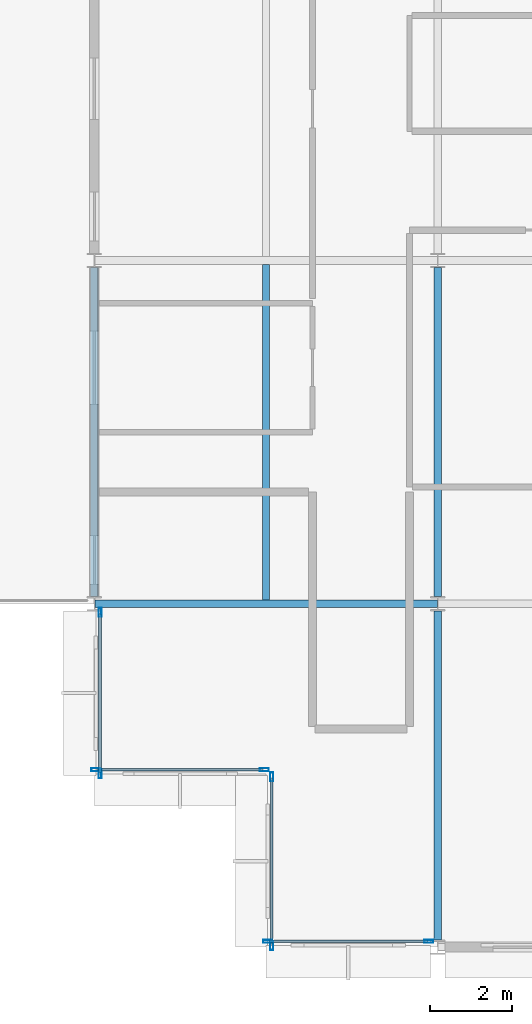
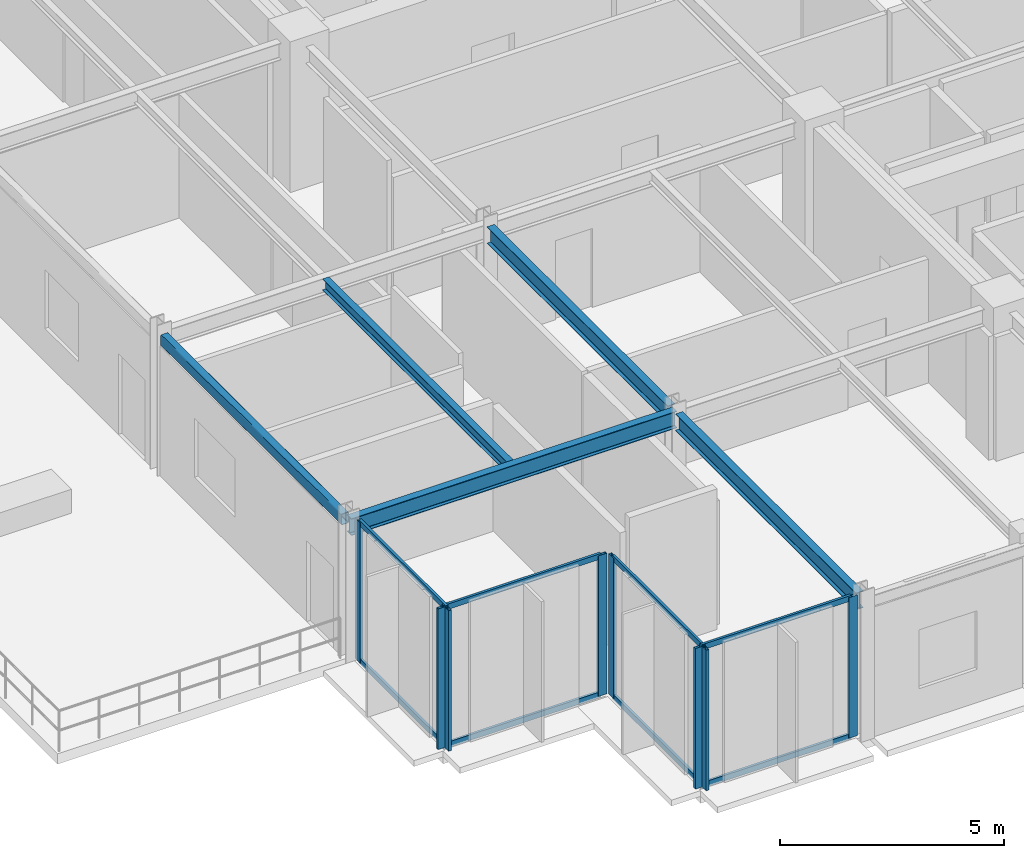
# One storey, part 2 of 21: 16 members, 5 beams, 4 elements without a shape of their own.
"""IFC4 building model written with IfcOpenShell, lengths in metres."""

from ifc_helpers import new_model, si_unit, direction, frame, origin, origin_2d, place, context, subcontext, project, spatial, hollow_rectangle, i_section, extrude, material, layer, layer_set, material_profile, profile_set, type_object, element, aggregate, save


model = new_model("IFC4")

# Units and contexts
model_context = context("Model", 3, precision=1e-05, world=origin(), true_north=direction((0.0, 1.0)))
body_context = subcontext(model_context, "Body", "Model", "MODEL_VIEW")
ifc_project = project(units=[si_unit("LENGTHUNIT", "METRE"), si_unit("AREAUNIT", "SQUARE_METRE"), si_unit("VOLUMEUNIT", "CUBIC_METRE"), si_unit("PLANEANGLEUNIT", "RADIAN"), si_unit("MASSUNIT", "GRAM", prefix="KILO")], contexts=[model_context])

# Site, building, storey
site_placement = place(None, origin())
site = spatial("IfcSite", under=ifc_project, at=site_placement, CompositionType="ELEMENT")
building_placement = place(site_placement, origin())
building = spatial("IfcBuilding", under=site, at=building_placement, Name="Nerrivon Quay Data Exchange", CompositionType="ELEMENT")
storey_placement = place(building_placement, frame((0.0, 0.0, 220.60009765625)))
storey = spatial("IfcBuildingStorey", under=building, at=storey_placement, Name="L52", CompositionType="ELEMENT", Elevation=220.60009765625)

# Beams
ifc_material_1 = material(Name="Steel Grade 350", Category="steel")
ifc_material_profile_1 = material_profile(ifc_material_1, i_section(OverallWidth=0.19091796875, OverallDepth=0.4599609375, WebThickness=0.010009765625, FlangeThickness=0.01611328125, FilletRadius=0.011474609375, at=origin_2d()), Name="460UB82.1")
ifc_profile_set_1 = profile_set([ifc_material_profile_1], Name="Steel Grade 350")
beam_type_1 = type_object("IfcBeamType", Name="BM-G5-460UB82", PredefinedType="BEAM", material=ifc_profile_set_1)
beam_1_placement = place(storey_placement, frame((0.010009765625, 8.39990234375, 3.594970703125), z_axis=(1.0, 0.0, 0.0), x_axis=(0.0, 1.0, 0.0)))
element("IfcBeam", 1, at=beam_1_placement, inside=storey, type_object=beam_type_1, Name="L52 EW Girder Y=8.4 (0.0..8.4)", PredefinedType="BEAM", context=body_context, shape_type="SweptSolid", body=[
    extrude(i_section(OverallWidth=0.19091796875, OverallDepth=0.4599609375, WebThickness=0.010009765625, FlangeThickness=0.01611328125, FilletRadius=0.011474609375, at=origin_2d()), origin(), (0.0, 0.0, 1.0), 8.3798828125),
])
ifc_material_profile_2 = material_profile(ifc_material_1, i_section(OverallWidth=0.18994140625, OverallDepth=0.4541015625, WebThickness=0.008544921875, FlangeThickness=0.0126953125, FilletRadius=0.011474609375, at=origin_2d()), Name="460UB67.1")
ifc_profile_set_2 = profile_set([ifc_material_profile_2], Name="Steel Grade 350")
beam_type_2 = type_object("IfcBeamType", Name="BM-G6-460UB67", PredefinedType="BEAM", material=ifc_profile_set_2)
for number, where, z_axis, x_axis, name in (
    (2, (8.39990234375, 0.175048828125, 3.597900390625), (0.0, 1.0, 0.0), (-1.0, 0.0, 0.0), "L52 NS Girder X=8.4 (0.0..8.4)"),
    (3, (8.39990234375, 8.574951171875, 3.597900390625), (0.0, 1.0, 0.0), (-1.0, 0.0, 0.0), "L52 NS Girder X=8.4 (8.4..16.8)"),
):
    element("IfcBeam", number, at=place(storey_placement, frame(where, z_axis=z_axis, x_axis=x_axis)), inside=storey, type_object=beam_type_2, Name=name, PredefinedType="BEAM", context=body_context, shape_type="SweptSolid", body=[
        extrude(i_section(OverallWidth=0.18994140625, OverallDepth=0.4541015625, WebThickness=0.008544921875, FlangeThickness=0.0126953125, FilletRadius=0.011474609375, at=origin_2d()), origin(), (0.0, 0.0, 1.0), 8.050048828125),
    ])
ifc_material_profile_3 = material_profile(ifc_material_1, i_section(OverallWidth=0.166015625, OverallDepth=0.306884765625, WebThickness=0.006591796875, FlangeThickness=0.01171875, FilletRadius=0.011474609375, at=origin_2d()), Name="310UB46.2")
ifc_profile_set_3 = profile_set([ifc_material_profile_3], Name="Steel Grade 350")
beam_type_3 = type_object("IfcBeamType", Name="BM-J5-310UB46", PredefinedType="JOIST", material=ifc_profile_set_3)
beam_2_placement = place(storey_placement, frame((4.199951171875, 8.49560546875, 3.67138671875), z_axis=(0.0, 1.0, 0.0), x_axis=(-1.0, 0.0, 0.0)))
element("IfcBeam", 4, at=beam_2_placement, inside=storey, type_object=beam_type_3, Name="L52 Secondary Joist X=4.2 (8.4..16.8)", PredefinedType="JOIST", context=body_context, shape_type="SweptSolid", body=[
    extrude(i_section(OverallWidth=0.166015625, OverallDepth=0.306884765625, WebThickness=0.006591796875, FlangeThickness=0.01171875, FilletRadius=0.011474609375, at=origin_2d()), origin(), (0.0, 0.0, 1.0), 8.208984375),
])
ifc_material_2 = material(Name="Steel Grade C350L0 (350 MPa)", Category="steel")
ifc_material_profile_4 = material_profile(ifc_material_2, hollow_rectangle(XDim=0.199951171875, YDim=0.300048828125, WallThickness=0.012451171875, InnerFilletRadius=0.018798828125, OuterFilletRadius=0.03125, at=origin_2d()), Name="300x200x12.5RHS")
ifc_profile_set_4 = profile_set([ifc_material_profile_4], Name="Steel Grade C350L0 (350 MPa)")
beam_type_4 = type_object("IfcBeamType", Name="BM-SP3-300x200RHS", PredefinedType="SPANDREL", material=ifc_profile_set_4)
beam_3_placement = place(storey_placement, frame((0.0, 8.574951171875, 3.6748046875), z_axis=(0.0, 1.0, 0.0), x_axis=(-1.0, 0.0, 0.0)))
element("IfcBeam", 5, at=beam_3_placement, inside=storey, type_object=beam_type_4, Name="L52 NS Girder X=0.0 (8.4..16.8)", PredefinedType="SPANDREL", context=body_context, shape_type="SweptSolid", body=[
    extrude(hollow_rectangle(XDim=0.199951171875, YDim=0.300048828125, WallThickness=0.012451171875, InnerFilletRadius=0.018798828125, OuterFilletRadius=0.03125, at=origin_2d()), origin(), (0.0, 0.0, 1.0), 8.050048828125),
])

# Curtain wall, members
ifc_material_3 = material(Name="Anodised aluminium 6063-T6", Category="aluminium")
ifc_layer = layer(ifc_material_3, 0.22998046875)
ifc_layer_set = layer_set([ifc_layer], Name="Anodised aluminium 6063-T6")
curtain_wall_type = type_object("IfcCurtainWallType", Name="CW-SYS-05", PredefinedType="NOTDEFINED", material=ifc_layer_set)
curtain_wall_1_placement = place(storey_placement, origin())
curtain_wall_1 = element("IfcCurtainWall", 6, at=curtain_wall_1_placement, inside=storey, type_object=curtain_wall_type, Name="L52 Unitised Curtain Wall 8", PredefinedType="NOTDEFINED")
ifc_material_profile_5 = material_profile(ifc_material_3, hollow_rectangle(XDim=0.074951171875, YDim=0.219970703125, WallThickness=0.00390625, at=origin_2d()), Name="ALU-MULL-220x75")
ifc_profile_set_5 = profile_set([ifc_material_profile_5], Name="Anodised aluminium 6063-T6")
member_type_1 = type_object("IfcMemberType", Name="CWM-220x75", PredefinedType="MULLION", material=ifc_profile_set_5)
member_1_placement = place(storey_placement, frame((8.1875, 0.139892578125, 0.0), z_axis=(0.0, 0.0, 1.0), x_axis=(0.0, -1.0, 0.0)))
member_1 = element("IfcMember", 7, at=member_1_placement, type_object=member_type_1, Name="CW05 mullion 1", PredefinedType="MULLION", context=body_context, shape_type="SweptSolid", body=[
    extrude(hollow_rectangle(XDim=0.074951171875, YDim=0.219970703125, WallThickness=0.00390625, at=origin_2d()), origin(), (0.0, 0.0, 1.0), 3.824951171875),
])
member_2_placement = place(storey_placement, frame((4.237548828125, 0.139892578125, 0.0), z_axis=(0.0, 0.0, 1.0), x_axis=(0.0, -1.0, 0.0)))
member_2 = element("IfcMember", 8, at=member_2_placement, type_object=member_type_1, Name="CW05 mullion 2", PredefinedType="MULLION", context=body_context, shape_type="SweptSolid", body=[
    extrude(hollow_rectangle(XDim=0.074951171875, YDim=0.219970703125, WallThickness=0.00390625, at=origin_2d()), origin(), (0.0, 0.0, 1.0), 3.824951171875),
])

curtain_wall_2_placement = place(storey_placement, origin())
curtain_wall_2 = element("IfcCurtainWall", 9, at=curtain_wall_2_placement, inside=storey, type_object=curtain_wall_type, Name="L52 Unitised Curtain Wall 9", PredefinedType="NOTDEFINED")
member_3_placement = place(storey_placement, frame((4.340087890625, 0.03759765625, 0.0), z_axis=(0.0, 0.0, 1.0), x_axis=(-1.0, 0.0, 0.0)))
member_3 = element("IfcMember", 10, at=member_3_placement, type_object=member_type_1, Name="CW05 mullion 1", PredefinedType="MULLION", context=body_context, shape_type="SweptSolid", body=[
    extrude(hollow_rectangle(XDim=0.074951171875, YDim=0.219970703125, WallThickness=0.00390625, at=origin_2d()), origin(), (0.0, 0.0, 1.0), 3.824951171875),
])
member_4_placement = place(storey_placement, frame((4.340087890625, 4.16259765625, 0.0), z_axis=(0.0, 0.0, 1.0), x_axis=(-1.0, 0.0, 0.0)))
member_4 = element("IfcMember", 11, at=member_4_placement, type_object=member_type_1, Name="CW05 mullion 2", PredefinedType="MULLION", context=body_context, shape_type="SweptSolid", body=[
    extrude(hollow_rectangle(XDim=0.074951171875, YDim=0.219970703125, WallThickness=0.00390625, at=origin_2d()), origin(), (0.0, 0.0, 1.0), 3.824951171875),
])

curtain_wall_3_placement = place(storey_placement, origin())
curtain_wall_3 = element("IfcCurtainWall", 12, at=curtain_wall_3_placement, inside=storey, type_object=curtain_wall_type, Name="L52 Unitised Curtain Wall 10", PredefinedType="NOTDEFINED")
member_5_placement = place(storey_placement, frame((4.16259765625, 4.340087890625, 0.0), z_axis=(0.0, 0.0, 1.0), x_axis=(0.0, -1.0, 0.0)))
member_5 = element("IfcMember", 13, at=member_5_placement, type_object=member_type_1, Name="CW05 mullion 1", PredefinedType="MULLION", context=body_context, shape_type="SweptSolid", body=[
    extrude(hollow_rectangle(XDim=0.074951171875, YDim=0.219970703125, WallThickness=0.00390625, at=origin_2d()), origin(), (0.0, 0.0, 1.0), 3.824951171875),
])
member_6_placement = place(storey_placement, frame((0.03759765625, 4.340087890625, 0.0), z_axis=(0.0, 0.0, 1.0), x_axis=(0.0, -1.0, 0.0)))
member_6 = element("IfcMember", 14, at=member_6_placement, type_object=member_type_1, Name="CW05 mullion 2", PredefinedType="MULLION", context=body_context, shape_type="SweptSolid", body=[
    extrude(hollow_rectangle(XDim=0.074951171875, YDim=0.219970703125, WallThickness=0.00390625, at=origin_2d()), origin(), (0.0, 0.0, 1.0), 3.824951171875),
])

curtain_wall_4_placement = place(storey_placement, origin())
curtain_wall_4 = element("IfcCurtainWall", 15, at=curtain_wall_4_placement, inside=storey, type_object=curtain_wall_type, Name="L52 Unitised Curtain Wall 11", PredefinedType="NOTDEFINED")
member_7_placement = place(storey_placement, frame((0.139892578125, 4.237548828125, 0.0), z_axis=(0.0, 0.0, 1.0), x_axis=(-1.0, 0.0, 0.0)))
member_7 = element("IfcMember", 16, at=member_7_placement, type_object=member_type_1, Name="CW05 mullion 1", PredefinedType="MULLION", context=body_context, shape_type="SweptSolid", body=[
    extrude(hollow_rectangle(XDim=0.074951171875, YDim=0.219970703125, WallThickness=0.00390625, at=origin_2d()), origin(), (0.0, 0.0, 1.0), 3.824951171875),
])
member_8_placement = place(storey_placement, frame((0.139892578125, 8.1875, 0.0), z_axis=(0.0, 0.0, 1.0), x_axis=(-1.0, 0.0, 0.0)))
member_8 = element("IfcMember", 17, at=member_8_placement, type_object=member_type_1, Name="CW05 mullion 2", PredefinedType="MULLION", context=body_context, shape_type="SweptSolid", body=[
    extrude(hollow_rectangle(XDim=0.074951171875, YDim=0.219970703125, WallThickness=0.00390625, at=origin_2d()), origin(), (0.0, 0.0, 1.0), 3.824951171875),
])

# Member
ifc_material_profile_6 = material_profile(ifc_material_3, hollow_rectangle(XDim=0.06494140625, YDim=0.14990234375, WallThickness=0.00341796875, at=origin_2d()), Name="ALU-TRAN-150x65")
ifc_profile_set_6 = profile_set([ifc_material_profile_6], Name="Anodised aluminium 6063-T6")
member_type_2 = type_object("IfcMemberType", Name="CWT-150x65", PredefinedType="USERDEFINED", material=ifc_profile_set_6)
member_9_placement = place(storey_placement, frame((8.14990234375, 0.139892578125, 0.032470703125), z_axis=(-1.0, 0.0, 0.0), x_axis=(0.0, -1.0, 0.0)))
member_9 = element("IfcMember", 18, at=member_9_placement, type_object=member_type_2, Name="CW05 transom 1.1", ObjectType="TRANSOM", PredefinedType="USERDEFINED", context=body_context, shape_type="SweptSolid", body=[
    extrude(hollow_rectangle(XDim=0.06494140625, YDim=0.14990234375, WallThickness=0.00341796875, at=origin_2d()), origin(), (0.0, 0.0, 1.0), 3.875),
])

member_10_placement = place(storey_placement, frame((8.14990234375, 0.139892578125, 3.79248046875), z_axis=(-1.0, 0.0, 0.0), x_axis=(0.0, -1.0, 0.0)))
member_10 = element("IfcMember", 19, at=member_10_placement, type_object=member_type_2, Name="CW05 transom 1.2", ObjectType="TRANSOM", PredefinedType="USERDEFINED", context=body_context, shape_type="SweptSolid", body=[
    extrude(hollow_rectangle(XDim=0.06494140625, YDim=0.14990234375, WallThickness=0.00341796875, at=origin_2d()), origin(), (0.0, 0.0, 1.0), 3.875),
])

aggregate(curtain_wall_1, [member_1, member_2, member_9, member_10])

member_11_placement = place(storey_placement, frame((4.340087890625, 0.074951171875, 0.032470703125), z_axis=(0.0, 1.0, 0.0), x_axis=(-1.0, 0.0, 0.0)))
member_11 = element("IfcMember", 20, at=member_11_placement, type_object=member_type_2, Name="CW05 transom 1.1", ObjectType="TRANSOM", PredefinedType="USERDEFINED", context=body_context, shape_type="SweptSolid", body=[
    extrude(hollow_rectangle(XDim=0.06494140625, YDim=0.14990234375, WallThickness=0.00341796875, at=origin_2d()), origin(), (0.0, 0.0, 1.0), 4.050048828125),
])

member_12_placement = place(storey_placement, frame((4.340087890625, 0.074951171875, 3.79248046875), z_axis=(0.0, 1.0, 0.0), x_axis=(-1.0, 0.0, 0.0)))
member_12 = element("IfcMember", 21, at=member_12_placement, type_object=member_type_2, Name="CW05 transom 1.2", ObjectType="TRANSOM", PredefinedType="USERDEFINED", context=body_context, shape_type="SweptSolid", body=[
    extrude(hollow_rectangle(XDim=0.06494140625, YDim=0.14990234375, WallThickness=0.00341796875, at=origin_2d()), origin(), (0.0, 0.0, 1.0), 4.050048828125),
])

aggregate(curtain_wall_2, [member_3, member_4, member_11, member_12])

member_13_placement = place(storey_placement, frame((4.125, 4.340087890625, 0.032470703125), z_axis=(-1.0, 0.0, 0.0), x_axis=(0.0, -1.0, 0.0)))
member_13 = element("IfcMember", 22, at=member_13_placement, type_object=member_type_2, Name="CW05 transom 1.1", ObjectType="TRANSOM", PredefinedType="USERDEFINED", context=body_context, shape_type="SweptSolid", body=[
    extrude(hollow_rectangle(XDim=0.06494140625, YDim=0.14990234375, WallThickness=0.00341796875, at=origin_2d()), origin(), (0.0, 0.0, 1.0), 4.050048828125),
])

member_14_placement = place(storey_placement, frame((4.125, 4.340087890625, 3.79248046875), z_axis=(-1.0, 0.0, 0.0), x_axis=(0.0, -1.0, 0.0)))
member_14 = element("IfcMember", 23, at=member_14_placement, type_object=member_type_2, Name="CW05 transom 1.2", ObjectType="TRANSOM", PredefinedType="USERDEFINED", context=body_context, shape_type="SweptSolid", body=[
    extrude(hollow_rectangle(XDim=0.06494140625, YDim=0.14990234375, WallThickness=0.00341796875, at=origin_2d()), origin(), (0.0, 0.0, 1.0), 4.050048828125),
])

aggregate(curtain_wall_3, [member_5, member_6, member_13, member_14])

member_15_placement = place(storey_placement, frame((0.139892578125, 4.27490234375, 0.032470703125), z_axis=(0.0, 1.0, 0.0), x_axis=(-1.0, 0.0, 0.0)))
member_15 = element("IfcMember", 24, at=member_15_placement, type_object=member_type_2, Name="CW05 transom 1.1", ObjectType="TRANSOM", PredefinedType="USERDEFINED", context=body_context, shape_type="SweptSolid", body=[
    extrude(hollow_rectangle(XDim=0.06494140625, YDim=0.14990234375, WallThickness=0.00341796875, at=origin_2d()), origin(), (0.0, 0.0, 1.0), 3.875),
])

member_16_placement = place(storey_placement, frame((0.139892578125, 4.27490234375, 3.79248046875), z_axis=(0.0, 1.0, 0.0), x_axis=(-1.0, 0.0, 0.0)))
member_16 = element("IfcMember", 25, at=member_16_placement, type_object=member_type_2, Name="CW05 transom 1.2", ObjectType="TRANSOM", PredefinedType="USERDEFINED", context=body_context, shape_type="SweptSolid", body=[
    extrude(hollow_rectangle(XDim=0.06494140625, YDim=0.14990234375, WallThickness=0.00341796875, at=origin_2d()), origin(), (0.0, 0.0, 1.0), 3.875),
])

aggregate(curtain_wall_4, [member_7, member_8, member_15, member_16])

save(model, "model.ifc")
